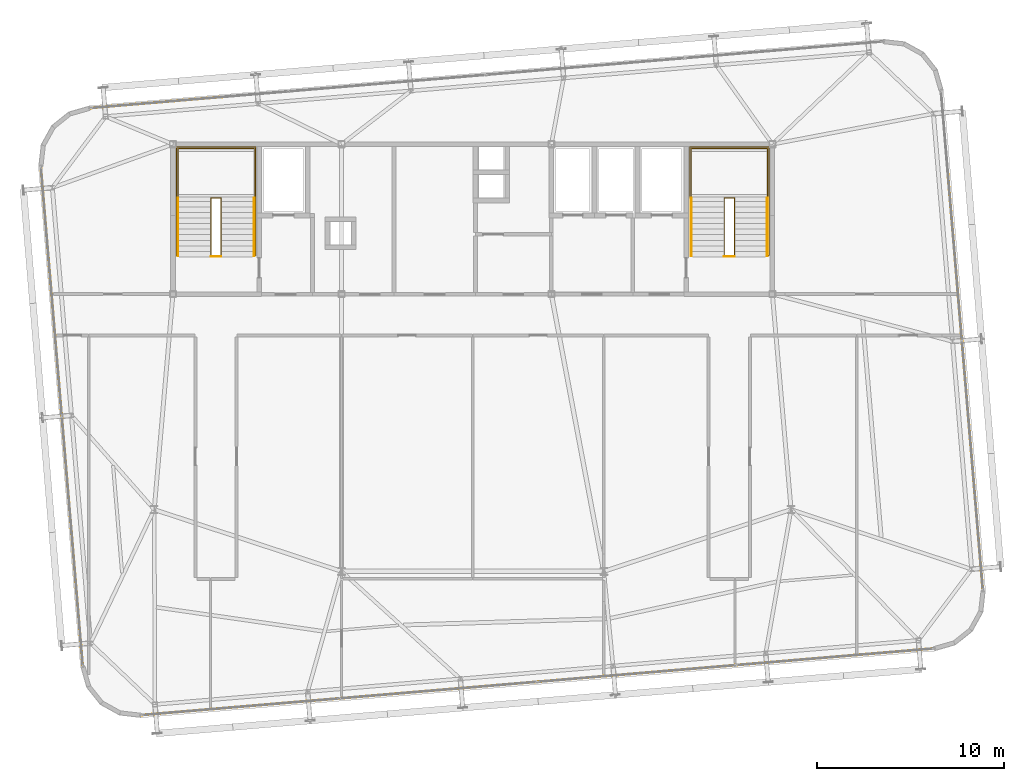
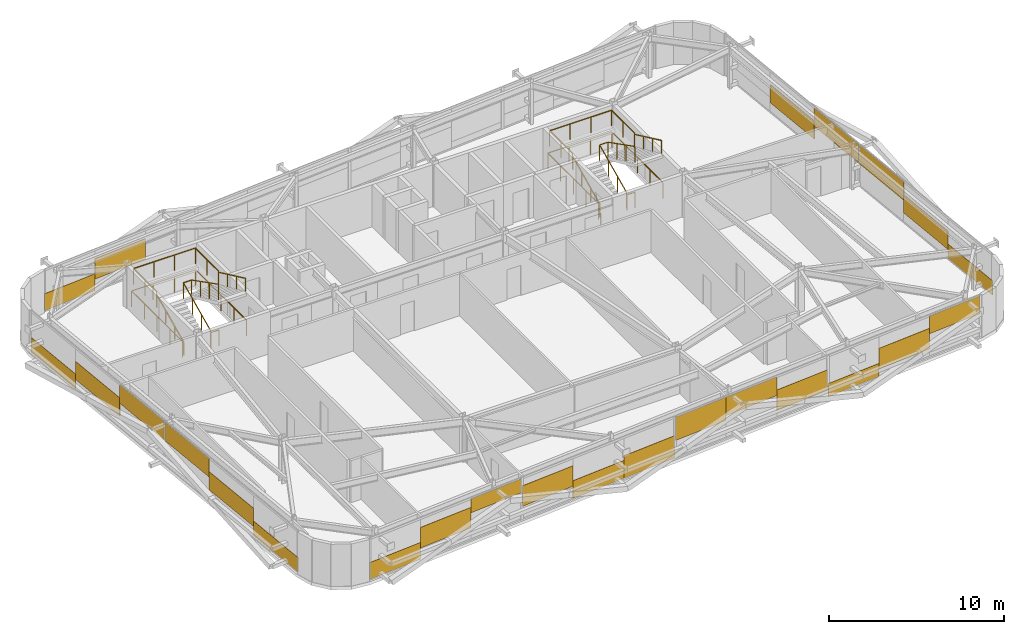
# One storey, part 36 of 37: 25 coverings, 12 railings.
"""IFC4 building model written with IfcOpenShell, lengths in metres."""

from ifc_helpers import new_model, si_unit, direction, frame, origin, origin_2d, place, context, subcontext, project, spatial, rectangle, extrude, source, transform, mapped, material, layer, layer_set, type_object, element, save


model = new_model("IFC4")

# Units and contexts
model_context = context("Model", 3, precision=1e-05, world=origin(), true_north=direction((0.0, 1.0)))
body_context = subcontext(model_context, "Body", "Model", "MODEL_VIEW")
ifc_project = project(units=[si_unit("LENGTHUNIT", "METRE"), si_unit("AREAUNIT", "SQUARE_METRE"), si_unit("VOLUMEUNIT", "CUBIC_METRE"), si_unit("PLANEANGLEUNIT", "RADIAN"), si_unit("MASSUNIT", "GRAM", prefix="KILO")], contexts=[model_context])

# Site, building, storey
site_placement = place(None, origin())
site = spatial("IfcSite", under=ifc_project, at=site_placement, CompositionType="ELEMENT")
building_placement = place(site_placement, origin())
building = spatial("IfcBuilding", under=site, at=building_placement, Name="Taldren Reach Tower", CompositionType="ELEMENT")
storey_placement = place(building_placement, frame((0.0, 0.0, 172.550048828125)))
storey = spatial("IfcBuildingStorey", under=building, at=storey_placement, Name="L52", CompositionType="ELEMENT", Elevation=172.550048828125)

# Railings
ifc_material_1 = material(Name="Steel Gr 350 (C350L0)", Category="steel")
ifc_layer_1 = layer(ifc_material_1, 0.050048828125)
ifc_layer_set_1 = layer_set([ifc_layer_1], Name="Steel Gr 350 (C350L0)")
railing_type_1 = type_object("IfcRailingType", Name="RL-STAIR-GR", PredefinedType="GUARDRAIL", material=ifc_layer_set_1)
railing_1_placement = place(storey_placement, frame((19.260009765625, 29.135009765625, 1.574951171875)))
element("IfcRailing", 1, at=railing_1_placement, inside=storey, type_object=railing_type_1, Name="Stair half-landing perimeter guard ST1-L52", PredefinedType="GUARDRAIL", context=body_context, shape_type="SweptSolid", body=[
    extrude(rectangle(XDim=0.047852, YDim=0.047852, at=origin_2d()), frame((0.0, 0.0, 1.09619140625), z_axis=(0.0, 1.0, 0.0), x_axis=(-1.0, 0.0, 0.0)), (0.0, 0.0, 1.0), 2.64501953125),
    extrude(rectangle(XDim=0.047852, YDim=0.047852, at=origin_2d()), frame((0.0, 2.64501953125, 1.09619140625), z_axis=(1.0, 0.0, 0.0), x_axis=(0.0, 1.0, 0.0)), (0.0, 0.0, 1.0), 4.080078125),
    extrude(rectangle(XDim=0.047852, YDim=0.047852, at=origin_2d()), frame((4.080078125, 2.64501953125, 1.09619140625), z_axis=(0.0, -1.0, 0.0), x_axis=(1.0, 0.0, 0.0)), (0.0, 0.0, 1.0), 2.64501953125),
    extrude(rectangle(XDim=0.041992, YDim=0.041992, at=origin_2d()), origin(), (0.0, 0.0, 1.0), 1.072021484375),
    extrude(rectangle(XDim=0.041992, YDim=0.041992, at=origin_2d()), frame((0.0, 1.322509765625, 0.0)), (0.0, 0.0, 1.0), 1.072021484375),
    extrude(rectangle(XDim=0.041992, YDim=0.041992, at=origin_2d()), frame((0.0, 2.64501953125, 0.0)), (0.0, 0.0, 1.0), 1.072021484375),
    extrude(rectangle(XDim=0.041992, YDim=0.041992, at=origin_2d()), frame((1.360107421875, 2.64501953125, 0.0)), (0.0, 0.0, 1.0), 1.072021484375),
    extrude(rectangle(XDim=0.041992, YDim=0.041992, at=origin_2d()), frame((2.719970703125, 2.64501953125, 0.0)), (0.0, 0.0, 1.0), 1.072021484375),
    extrude(rectangle(XDim=0.041992, YDim=0.041992, at=origin_2d()), frame((4.080078125, 2.64501953125, 0.0)), (0.0, 0.0, 1.0), 1.072021484375),
    extrude(rectangle(XDim=0.041992, YDim=0.041992, at=origin_2d()), frame((4.080078125, 1.322509765625, 0.0)), (0.0, 0.0, 1.0), 1.072021484375),
    extrude(rectangle(XDim=0.041992, YDim=0.041992, at=origin_2d()), frame((4.080078125, 0.0, 0.0)), (0.0, 0.0, 1.0), 1.072021484375),
])
railing_2_placement = place(storey_placement, frame((21.030029296875, 26.050048828125, 0.13134765625)))
element("IfcRailing", 2, at=railing_2_placement, inside=storey, type_object=railing_type_1, Name="Stairwell inner guard ST1-L52", PredefinedType="GUARDRAIL", context=body_context, shape_type="SweptSolid", body=[
    extrude(rectangle(XDim=0.047852, YDim=0.047852, at=origin_2d()), frame((0.0, 0.0, 1.09619140625), z_axis=(0.0, 0.905737652094, 0.423838773095), x_axis=(-1.0, 0.0, 0.0)), (0.0, 0.0, 1.0), 3.406005859375),
    extrude(rectangle(XDim=0.047852, YDim=0.047852, at=origin_2d()), frame((0.0, 3.0849609375, 2.53955078125), z_axis=(1.0, 0.0, 0.0), x_axis=(0.0, 1.0, 0.0)), (0.0, 0.0, 1.0), 0.5400390625),
    extrude(rectangle(XDim=0.047852, YDim=0.047852, at=origin_2d()), frame((0.5400390625, 3.0849609375, 2.53955078125), z_axis=(0.0, -0.890645957773, 0.45469745755), x_axis=(1.0, 0.0, 0.0)), (0.0, 0.0, 1.0), 3.463623046875),
    extrude(rectangle(XDim=0.041992, YDim=0.041992, at=origin_2d()), origin(), (0.0, 0.0, 1.0), 1.072021484375),
    extrude(rectangle(XDim=0.041992, YDim=0.041992, at=origin_2d()), frame((0.0, 1.0283203125, 0.481201171875)), (0.0, 0.0, 1.0), 1.072021484375),
    extrude(rectangle(XDim=0.041992, YDim=0.041992, at=origin_2d()), frame((0.0, 2.056640625, 0.96240234375)), (0.0, 0.0, 1.0), 1.072021484375),
    extrude(rectangle(XDim=0.041992, YDim=0.041992, at=origin_2d()), frame((0.0, 3.0849609375, 1.443603515625)), (0.0, 0.0, 1.0), 1.072021484375),
    extrude(rectangle(XDim=0.041992, YDim=0.041992, at=origin_2d()), frame((0.5400390625, 3.0849609375, 1.443603515625)), (0.0, 0.0, 1.0), 1.072021484375),
    extrude(rectangle(XDim=0.041992, YDim=0.041992, at=origin_2d()), frame((0.5400390625, 2.056640625, 1.968505859375)), (0.0, 0.0, 1.0), 1.072021484375),
    extrude(rectangle(XDim=0.041992, YDim=0.041992, at=origin_2d()), frame((0.5400390625, 1.0283203125, 2.49365234375)), (0.0, 0.0, 1.0), 1.072021484375),
    extrude(rectangle(XDim=0.041992, YDim=0.041992, at=origin_2d()), frame((0.5400390625, 0.0, 3.0185546875)), (0.0, 0.0, 1.0), 1.072021484375),
])
railing_3_placement = place(storey_placement, frame((21.030029296875, 26.010009765625, 0.0)))
element("IfcRailing", 3, at=railing_3_placement, inside=storey, type_object=railing_type_1, Name="Stairwell landing slot guard ST1-L52", PredefinedType="GUARDRAIL", context=body_context, shape_type="SweptSolid", body=[
    extrude(rectangle(XDim=0.047852, YDim=0.047852, at=origin_2d()), frame((0.0, 0.0, 1.09619140625), z_axis=(1.0, 0.0, 0.0), x_axis=(0.0, 1.0, 0.0)), (0.0, 0.0, 1.0), 0.5400390625),
    extrude(rectangle(XDim=0.041992, YDim=0.041992, at=origin_2d()), origin(), (0.0, 0.0, 1.0), 1.072021484375),
    extrude(rectangle(XDim=0.041992, YDim=0.041992, at=origin_2d()), frame((0.5400390625, 0.0, 0.0)), (0.0, 0.0, 1.0), 1.072021484375),
])
railing_4_placement = place(storey_placement, frame((19.18994140625, 26.050048828125, 0.0)))
element("IfcRailing", 4, at=railing_4_placement, inside=storey, type_object=railing_type_1, Name="Stairwell floor opening guard ST1-L52", PredefinedType="GUARDRAIL", context=body_context, shape_type="SweptSolid", body=[
    extrude(rectangle(XDim=0.047852, YDim=0.047852, at=origin_2d()), frame((0.0, 0.0, 1.09619140625), z_axis=(0.0, 1.0, 0.0), x_axis=(-1.0, 0.0, 0.0)), (0.0, 0.0, 1.0), 5.800048828125),
    extrude(rectangle(XDim=0.047852, YDim=0.047852, at=origin_2d()), frame((0.0, 5.800048828125, 1.09619140625), z_axis=(1.0, 0.0, 0.0), x_axis=(0.0, 1.0, 0.0)), (0.0, 0.0, 1.0), 4.219970703125),
    extrude(rectangle(XDim=0.047852, YDim=0.047852, at=origin_2d()), frame((4.219970703125, 5.800048828125, 1.09619140625), z_axis=(0.0, -1.0, 0.0), x_axis=(1.0, 0.0, 0.0)), (0.0, 0.0, 1.0), 5.800048828125),
    extrude(rectangle(XDim=0.041992, YDim=0.041992, at=origin_2d()), origin(), (0.0, 0.0, 1.0), 1.072021484375),
    extrude(rectangle(XDim=0.041992, YDim=0.041992, at=origin_2d()), frame((0.0, 1.449951171875, 0.0)), (0.0, 0.0, 1.0), 1.072021484375),
    extrude(rectangle(XDim=0.041992, YDim=0.041992, at=origin_2d()), frame((0.0, 2.89990234375, 0.0)), (0.0, 0.0, 1.0), 1.072021484375),
    extrude(rectangle(XDim=0.041992, YDim=0.041992, at=origin_2d()), frame((0.0, 4.35009765625, 0.0)), (0.0, 0.0, 1.0), 1.072021484375),
    extrude(rectangle(XDim=0.041992, YDim=0.041992, at=origin_2d()), frame((0.0, 5.800048828125, 0.0)), (0.0, 0.0, 1.0), 1.072021484375),
    extrude(rectangle(XDim=0.041992, YDim=0.041992, at=origin_2d()), frame((1.40673828125, 5.800048828125, 0.0)), (0.0, 0.0, 1.0), 1.072021484375),
    extrude(rectangle(XDim=0.041992, YDim=0.041992, at=origin_2d()), frame((2.813232421875, 5.800048828125, 0.0)), (0.0, 0.0, 1.0), 1.072021484375),
    extrude(rectangle(XDim=0.041992, YDim=0.041992, at=origin_2d()), frame((4.219970703125, 5.800048828125, 0.0)), (0.0, 0.0, 1.0), 1.072021484375),
    extrude(rectangle(XDim=0.041992, YDim=0.041992, at=origin_2d()), frame((4.219970703125, 4.35009765625, 0.0)), (0.0, 0.0, 1.0), 1.072021484375),
    extrude(rectangle(XDim=0.041992, YDim=0.041992, at=origin_2d()), frame((4.219970703125, 2.89990234375, 0.0)), (0.0, 0.0, 1.0), 1.072021484375),
    extrude(rectangle(XDim=0.041992, YDim=0.041992, at=origin_2d()), frame((4.219970703125, 1.449951171875, 0.0)), (0.0, 0.0, 1.0), 1.072021484375),
    extrude(rectangle(XDim=0.041992, YDim=0.041992, at=origin_2d()), frame((4.219970703125, 0.0, 0.0)), (0.0, 0.0, 1.0), 1.072021484375),
])
railing_5_placement = place(storey_placement, frame((46.659912109375, 29.135009765625, 1.574951171875)))
element("IfcRailing", 5, at=railing_5_placement, inside=storey, type_object=railing_type_1, Name="Stair half-landing perimeter guard ST2-L52", PredefinedType="GUARDRAIL", context=body_context, shape_type="SweptSolid", body=[
    extrude(rectangle(XDim=0.047852, YDim=0.047852, at=origin_2d()), frame((0.0, 0.0, 1.09619140625), z_axis=(0.0, 1.0, 0.0), x_axis=(-1.0, 0.0, 0.0)), (0.0, 0.0, 1.0), 2.64501953125),
    extrude(rectangle(XDim=0.047852, YDim=0.047852, at=origin_2d()), frame((0.0, 2.64501953125, 1.09619140625), z_axis=(1.0, 0.0, 0.0), x_axis=(0.0, 1.0, 0.0)), (0.0, 0.0, 1.0), 4.080078125),
    extrude(rectangle(XDim=0.047852, YDim=0.047852, at=origin_2d()), frame((4.080078125, 2.64501953125, 1.09619140625), z_axis=(0.0, -1.0, 0.0), x_axis=(1.0, 0.0, 0.0)), (0.0, 0.0, 1.0), 2.64501953125),
    extrude(rectangle(XDim=0.041992, YDim=0.041992, at=origin_2d()), origin(), (0.0, 0.0, 1.0), 1.072021484375),
    extrude(rectangle(XDim=0.041992, YDim=0.041992, at=origin_2d()), frame((0.0, 1.322509765625, 0.0)), (0.0, 0.0, 1.0), 1.072021484375),
    extrude(rectangle(XDim=0.041992, YDim=0.041992, at=origin_2d()), frame((0.0, 2.64501953125, 0.0)), (0.0, 0.0, 1.0), 1.072021484375),
    extrude(rectangle(XDim=0.041992, YDim=0.041992, at=origin_2d()), frame((1.360107421875, 2.64501953125, 0.0)), (0.0, 0.0, 1.0), 1.072021484375),
    extrude(rectangle(XDim=0.041992, YDim=0.041992, at=origin_2d()), frame((2.719970703125, 2.64501953125, 0.0)), (0.0, 0.0, 1.0), 1.072021484375),
    extrude(rectangle(XDim=0.041992, YDim=0.041992, at=origin_2d()), frame((4.080078125, 2.64501953125, 0.0)), (0.0, 0.0, 1.0), 1.072021484375),
    extrude(rectangle(XDim=0.041992, YDim=0.041992, at=origin_2d()), frame((4.080078125, 1.322509765625, 0.0)), (0.0, 0.0, 1.0), 1.072021484375),
    extrude(rectangle(XDim=0.041992, YDim=0.041992, at=origin_2d()), frame((4.080078125, 0.0, 0.0)), (0.0, 0.0, 1.0), 1.072021484375),
])
railing_6_placement = place(storey_placement, frame((48.429931640625, 26.050048828125, 0.13134765625)))
element("IfcRailing", 6, at=railing_6_placement, inside=storey, type_object=railing_type_1, Name="Stairwell inner guard ST2-L52", PredefinedType="GUARDRAIL", context=body_context, shape_type="SweptSolid", body=[
    extrude(rectangle(XDim=0.047852, YDim=0.047852, at=origin_2d()), frame((0.0, 0.0, 1.09619140625), z_axis=(0.0, 0.905737652094, 0.423838773095), x_axis=(-1.0, 0.0, 0.0)), (0.0, 0.0, 1.0), 3.406005859375),
    extrude(rectangle(XDim=0.047852, YDim=0.047852, at=origin_2d()), frame((0.0, 3.0849609375, 2.53955078125), z_axis=(1.0, 0.0, 0.0), x_axis=(0.0, 1.0, 0.0)), (0.0, 0.0, 1.0), 0.5400390625),
    extrude(rectangle(XDim=0.047852, YDim=0.047852, at=origin_2d()), frame((0.5400390625, 3.0849609375, 2.53955078125), z_axis=(0.0, -0.890645957773, 0.45469745755), x_axis=(1.0, 0.0, 0.0)), (0.0, 0.0, 1.0), 3.463623046875),
    extrude(rectangle(XDim=0.041992, YDim=0.041992, at=origin_2d()), origin(), (0.0, 0.0, 1.0), 1.072021484375),
    extrude(rectangle(XDim=0.041992, YDim=0.041992, at=origin_2d()), frame((0.0, 1.0283203125, 0.481201171875)), (0.0, 0.0, 1.0), 1.072021484375),
    extrude(rectangle(XDim=0.041992, YDim=0.041992, at=origin_2d()), frame((0.0, 2.056640625, 0.96240234375)), (0.0, 0.0, 1.0), 1.072021484375),
    extrude(rectangle(XDim=0.041992, YDim=0.041992, at=origin_2d()), frame((0.0, 3.0849609375, 1.443603515625)), (0.0, 0.0, 1.0), 1.072021484375),
    extrude(rectangle(XDim=0.041992, YDim=0.041992, at=origin_2d()), frame((0.5400390625, 3.0849609375, 1.443603515625)), (0.0, 0.0, 1.0), 1.072021484375),
    extrude(rectangle(XDim=0.041992, YDim=0.041992, at=origin_2d()), frame((0.5400390625, 2.056640625, 1.968505859375)), (0.0, 0.0, 1.0), 1.072021484375),
    extrude(rectangle(XDim=0.041992, YDim=0.041992, at=origin_2d()), frame((0.5400390625, 1.0283203125, 2.49365234375)), (0.0, 0.0, 1.0), 1.072021484375),
    extrude(rectangle(XDim=0.041992, YDim=0.041992, at=origin_2d()), frame((0.5400390625, 0.0, 3.0185546875)), (0.0, 0.0, 1.0), 1.072021484375),
])
railing_7_placement = place(storey_placement, frame((48.429931640625, 26.010009765625, 0.0)))
element("IfcRailing", 7, at=railing_7_placement, inside=storey, type_object=railing_type_1, Name="Stairwell landing slot guard ST2-L52", PredefinedType="GUARDRAIL", context=body_context, shape_type="SweptSolid", body=[
    extrude(rectangle(XDim=0.047852, YDim=0.047852, at=origin_2d()), frame((0.0, 0.0, 1.09619140625), z_axis=(1.0, 0.0, 0.0), x_axis=(0.0, 1.0, 0.0)), (0.0, 0.0, 1.0), 0.5400390625),
    extrude(rectangle(XDim=0.041992, YDim=0.041992, at=origin_2d()), origin(), (0.0, 0.0, 1.0), 1.072021484375),
    extrude(rectangle(XDim=0.041992, YDim=0.041992, at=origin_2d()), frame((0.5400390625, 0.0, 0.0)), (0.0, 0.0, 1.0), 1.072021484375),
])
railing_8_placement = place(storey_placement, frame((46.590087890625, 26.050048828125, 0.0)))
element("IfcRailing", 8, at=railing_8_placement, inside=storey, type_object=railing_type_1, Name="Stairwell floor opening guard ST2-L52", PredefinedType="GUARDRAIL", context=body_context, shape_type="SweptSolid", body=[
    extrude(rectangle(XDim=0.047852, YDim=0.047852, at=origin_2d()), frame((0.0, 0.0, 1.09619140625), z_axis=(0.0, 1.0, 0.0), x_axis=(-1.0, 0.0, 0.0)), (0.0, 0.0, 1.0), 5.800048828125),
    extrude(rectangle(XDim=0.047852, YDim=0.047852, at=origin_2d()), frame((0.0, 5.800048828125, 1.09619140625), z_axis=(1.0, 0.0, 0.0), x_axis=(0.0, 1.0, 0.0)), (0.0, 0.0, 1.0), 4.219970703125),
    extrude(rectangle(XDim=0.047852, YDim=0.047852, at=origin_2d()), frame((4.219970703125, 5.800048828125, 1.09619140625), z_axis=(0.0, -1.0, 0.0), x_axis=(1.0, 0.0, 0.0)), (0.0, 0.0, 1.0), 5.800048828125),
    extrude(rectangle(XDim=0.041992, YDim=0.041992, at=origin_2d()), origin(), (0.0, 0.0, 1.0), 1.072021484375),
    extrude(rectangle(XDim=0.041992, YDim=0.041992, at=origin_2d()), frame((0.0, 1.449951171875, 0.0)), (0.0, 0.0, 1.0), 1.072021484375),
    extrude(rectangle(XDim=0.041992, YDim=0.041992, at=origin_2d()), frame((0.0, 2.89990234375, 0.0)), (0.0, 0.0, 1.0), 1.072021484375),
    extrude(rectangle(XDim=0.041992, YDim=0.041992, at=origin_2d()), frame((0.0, 4.35009765625, 0.0)), (0.0, 0.0, 1.0), 1.072021484375),
    extrude(rectangle(XDim=0.041992, YDim=0.041992, at=origin_2d()), frame((0.0, 5.800048828125, 0.0)), (0.0, 0.0, 1.0), 1.072021484375),
    extrude(rectangle(XDim=0.041992, YDim=0.041992, at=origin_2d()), frame((1.40673828125, 5.800048828125, 0.0)), (0.0, 0.0, 1.0), 1.072021484375),
    extrude(rectangle(XDim=0.041992, YDim=0.041992, at=origin_2d()), frame((2.813232421875, 5.800048828125, 0.0)), (0.0, 0.0, 1.0), 1.072021484375),
    extrude(rectangle(XDim=0.041992, YDim=0.041992, at=origin_2d()), frame((4.219970703125, 5.800048828125, 0.0)), (0.0, 0.0, 1.0), 1.072021484375),
    extrude(rectangle(XDim=0.041992, YDim=0.041992, at=origin_2d()), frame((4.219970703125, 4.35009765625, 0.0)), (0.0, 0.0, 1.0), 1.072021484375),
    extrude(rectangle(XDim=0.041992, YDim=0.041992, at=origin_2d()), frame((4.219970703125, 2.89990234375, 0.0)), (0.0, 0.0, 1.0), 1.072021484375),
    extrude(rectangle(XDim=0.041992, YDim=0.041992, at=origin_2d()), frame((4.219970703125, 1.449951171875, 0.0)), (0.0, 0.0, 1.0), 1.072021484375),
    extrude(rectangle(XDim=0.041992, YDim=0.041992, at=origin_2d()), frame((4.219970703125, 0.0, 0.0)), (0.0, 0.0, 1.0), 1.072021484375),
])
ifc_material_2 = material(Name="Stainless Steel Gr 316", Category="steel")
ifc_layer_2 = layer(ifc_material_2, 0.048095703125)
ifc_layer_set_2 = layer_set([ifc_layer_2], Name="Stainless Steel Gr 316")
railing_type_2 = type_object("IfcRailingType", Name="RL-STAIR-HR", PredefinedType="HANDRAIL", material=ifc_layer_set_2)
railing_9_placement = place(storey_placement, frame((19.27001953125, 26.050048828125, 0.13134765625)))
element("IfcRailing", 9, at=railing_9_placement, inside=storey, type_object=railing_type_2, Name="Stair flight handrail ST1-L52-1", PredefinedType="HANDRAIL", context=body_context, shape_type="SweptSolid", body=[
    extrude(rectangle(XDim=0.047852, YDim=0.047852, at=origin_2d()), frame((0.0, 0.0, 0.89599609375), z_axis=(0.0, 0.905737652094, 0.423838773095), x_axis=(-1.0, 0.0, 0.0)), (0.0, 0.0, 1.0), 3.406005859375),
    extrude(rectangle(XDim=0.041992, YDim=0.041992, at=origin_2d()), origin(), (0.0, 0.0, 1.0), 0.871826171875),
    extrude(rectangle(XDim=0.041992, YDim=0.041992, at=origin_2d()), frame((0.0, 1.0283203125, 0.481201171875)), (0.0, 0.0, 1.0), 0.871826171875),
    extrude(rectangle(XDim=0.041992, YDim=0.041992, at=origin_2d()), frame((0.0, 2.056640625, 0.96240234375)), (0.0, 0.0, 1.0), 0.871826171875),
    extrude(rectangle(XDim=0.041992, YDim=0.041992, at=origin_2d()), frame((0.0, 3.0849609375, 1.443603515625)), (0.0, 0.0, 1.0), 0.871826171875),
])
railing_10_placement = place(storey_placement, frame((23.330078125, 29.135009765625, 1.7060546875)))
element("IfcRailing", 10, at=railing_10_placement, inside=storey, type_object=railing_type_2, Name="Stair flight handrail ST1-L52-2", PredefinedType="HANDRAIL", context=body_context, shape_type="SweptSolid", body=[
    extrude(rectangle(XDim=0.047852, YDim=0.047852, at=origin_2d()), frame((0.0, 0.0, 0.89599609375), z_axis=(0.0, -0.905710134349, 0.423897573167), x_axis=(1.0, 0.0, 0.0)), (0.0, 0.0, 1.0), 3.406005859375),
    extrude(rectangle(XDim=0.041992, YDim=0.041992, at=origin_2d()), origin(), (0.0, 0.0, 1.0), 0.871826171875),
    extrude(rectangle(XDim=0.041992, YDim=0.041992, at=origin_2d()), frame((0.0, -1.0283203125, 0.481201171875)), (0.0, 0.0, 1.0), 0.871826171875),
    extrude(rectangle(XDim=0.041992, YDim=0.041992, at=origin_2d()), frame((0.0, -2.056640625, 0.962646484375)), (0.0, 0.0, 1.0), 0.871826171875),
    extrude(rectangle(XDim=0.041992, YDim=0.041992, at=origin_2d()), frame((0.0, -3.0849609375, 1.44384765625)), (0.0, 0.0, 1.0), 0.871826171875),
])
railing_11_placement = place(storey_placement, frame((46.669921875, 26.050048828125, 0.13134765625)))
element("IfcRailing", 11, at=railing_11_placement, inside=storey, type_object=railing_type_2, Name="Stair flight handrail ST2-L52-1", PredefinedType="HANDRAIL", context=body_context, shape_type="SweptSolid", body=[
    extrude(rectangle(XDim=0.047852, YDim=0.047852, at=origin_2d()), frame((0.0, 0.0, 0.89599609375), z_axis=(0.0, 0.905737652094, 0.423838773095), x_axis=(-1.0, 0.0, 0.0)), (0.0, 0.0, 1.0), 3.406005859375),
    extrude(rectangle(XDim=0.041992, YDim=0.041992, at=origin_2d()), origin(), (0.0, 0.0, 1.0), 0.871826171875),
    extrude(rectangle(XDim=0.041992, YDim=0.041992, at=origin_2d()), frame((0.0, 1.0283203125, 0.481201171875)), (0.0, 0.0, 1.0), 0.871826171875),
    extrude(rectangle(XDim=0.041992, YDim=0.041992, at=origin_2d()), frame((0.0, 2.056640625, 0.96240234375)), (0.0, 0.0, 1.0), 0.871826171875),
    extrude(rectangle(XDim=0.041992, YDim=0.041992, at=origin_2d()), frame((0.0, 3.0849609375, 1.443603515625)), (0.0, 0.0, 1.0), 0.871826171875),
])
railing_12_placement = place(storey_placement, frame((50.72998046875, 29.135009765625, 1.7060546875)))
element("IfcRailing", 12, at=railing_12_placement, inside=storey, type_object=railing_type_2, Name="Stair flight handrail ST2-L52-2", PredefinedType="HANDRAIL", context=body_context, shape_type="SweptSolid", body=[
    extrude(rectangle(XDim=0.047852, YDim=0.047852, at=origin_2d()), frame((0.0, 0.0, 0.89599609375), z_axis=(0.0, -0.905710134349, 0.423897573167), x_axis=(1.0, 0.0, 0.0)), (0.0, 0.0, 1.0), 3.406005859375),
    extrude(rectangle(XDim=0.041992, YDim=0.041992, at=origin_2d()), origin(), (0.0, 0.0, 1.0), 0.871826171875),
    extrude(rectangle(XDim=0.041992, YDim=0.041992, at=origin_2d()), frame((0.0, -1.0283203125, 0.481201171875)), (0.0, 0.0, 1.0), 0.871826171875),
    extrude(rectangle(XDim=0.041992, YDim=0.041992, at=origin_2d()), frame((0.0, -2.056640625, 0.962646484375)), (0.0, 0.0, 1.0), 0.871826171875),
    extrude(rectangle(XDim=0.041992, YDim=0.041992, at=origin_2d()), frame((0.0, -3.0849609375, 1.44384765625)), (0.0, 0.0, 1.0), 0.871826171875),
])

# Coverings
ifc_material_3 = material(Name="Pale Champagne Fluoropolymer Aluminium Spandrel Cladding", Category="aluminium")
ifc_layer_3 = layer(ifc_material_3, 0.0439453125)
ifc_layer_set_3 = layer_set([ifc_layer_3], Name="Pale Champagne Fluoropolymer Aluminium Spandrel Cladding")
covering_type = type_object("IfcCoveringType", Name="CV-CLAD-044", PredefinedType="CLADDING", material=ifc_layer_set_3)
shared_shape_1 = source(origin(), body_context, "Body", "SweptSolid", [
    extrude(rectangle(XDim=3.506591796875, YDim=0.0439453125, at=origin_2d()), origin(), (0.0, 0.0, 1.0), 1.177734375),
])
for number, where, z_axis, x_axis, name in (
    (13, (19.10205078125, 1.67138671875, 0.059814453125), (0.0, 0.0, 1.0), (0.996492854922, 0.083677894865, 0.0), "Diagrid closure cladding strip CW-5 panel 1.1 1"),
    (14, (16.380859375, 34.077392578125, 0.059814453125), (0.0, 0.0, 1.0), (-0.99649285657, -0.083677875247, 0.0), "Diagrid closure cladding strip CW-5 panel 4.1 3"),
):
    element("IfcCovering", number, at=place(storey_placement, frame(where, z_axis=z_axis, x_axis=x_axis)), inside=storey, type_object=covering_type, Name=name, PredefinedType="CLADDING", context=body_context, shape_type="MappedRepresentation", body=[
        mapped(shared_shape_1, transform((0.0, 0.0, 0.0), scale=1.0)),
    ])
shared_shape_2 = source(origin(), body_context, "Body", "SweptSolid", [
    extrude(rectangle(XDim=3.506591796875, YDim=0.0439453125, at=origin_2d()), origin(), (0.0, 0.0, 1.0), 1.42724609375),
])
for number, where, z_axis, x_axis, name in (
    (15, (22.596435546875, 1.96484375, 0.85205078125), (0.0, 0.0, 1.0), (0.996492854922, 0.083677894865, 0.0), "Diagrid closure cladding strip CW-5 panel 1.1 2"),
    (16, (54.32470703125, 4.629150390625, 0.590576171875), (0.0, 0.0, 1.0), (0.996492854922, 0.083677894865, 0.0), "Diagrid closure cladding strip CW-5 panel 4.1 2"),
    (17, (19.875244140625, 34.370849609375, 0.85205078125), (0.0, 0.0, 1.0), (-0.99649285657, -0.083677875247, 0.0), "Diagrid closure cladding strip CW-5 panel 4.1 2"),
):
    element("IfcCovering", number, at=place(storey_placement, frame(where, z_axis=z_axis, x_axis=x_axis)), inside=storey, type_object=covering_type, Name=name, PredefinedType="CLADDING", context=body_context, shape_type="MappedRepresentation", body=[
        mapped(shared_shape_2, transform((0.0, 0.0, 0.0), scale=1.0)),
    ])
shared_shape_3 = source(origin(), body_context, "Body", "SweptSolid", [
    extrude(rectangle(XDim=3.506591796875, YDim=0.0439453125, at=origin_2d()), origin(), (0.0, 0.0, 1.0), 0.976318359375),
])
covering_1_placement = place(storey_placement, frame((26.0908203125, 2.25830078125, 1.8935546875), z_axis=(0.0, 0.0, 1.0), x_axis=(0.996492854922, 0.083677894865, 0.0)))
element("IfcCovering", 18, at=covering_1_placement, inside=storey, type_object=covering_type, Name="Diagrid closure cladding strip CW-5 panel 1.1 3", PredefinedType="CLADDING", context=body_context, shape_type="MappedRepresentation", body=[
    mapped(shared_shape_3, transform((0.0, 0.0, 0.0), scale=1.0)),
])
shared_shape_4 = source(origin(), body_context, "Body", "SweptSolid", [
    extrude(rectangle(XDim=3.518310546875, YDim=0.0439453125, at=origin_2d()), origin(), (0.0, 0.0, 1.0), 1.4306640625),
])
for number, where, z_axis, x_axis, name in (
    (19, (29.66064453125, 2.55810546875, 0.912841796875), (0.0, 0.0, 1.0), (0.996492854922, 0.083677894865, 0.0), "Diagrid closure cladding strip CW-5 panel 2.1 1"),
    (20, (47.260498046875, 4.035888671875, 0.5263671875), (0.0, 0.0, 1.0), (0.996492854922, 0.083677894865, 0.0), "Diagrid closure cladding strip CW-5 panel 3.1 3"),
):
    element("IfcCovering", number, at=place(storey_placement, frame(where, z_axis=z_axis, x_axis=x_axis)), inside=storey, type_object=covering_type, Name=name, PredefinedType="CLADDING", context=body_context, shape_type="MappedRepresentation", body=[
        mapped(shared_shape_4, transform((0.0, 0.0, 0.0), scale=1.0)),
    ])
shared_shape_5 = source(origin(), body_context, "Body", "SweptSolid", [
    extrude(rectangle(XDim=3.518310546875, YDim=0.0439453125, at=origin_2d()), origin(), (0.0, 0.0, 1.0), 1.238525390625),
])
covering_2_placement = place(storey_placement, frame((33.166748046875, 2.8525390625, 0.06005859375), z_axis=(0.0, 0.0, 1.0), x_axis=(0.996492854922, 0.083677894865, 0.0)))
element("IfcCovering", 21, at=covering_2_placement, inside=storey, type_object=covering_type, Name="Diagrid closure cladding strip CW-5 panel 2.1 2", PredefinedType="CLADDING", context=body_context, shape_type="MappedRepresentation", body=[
    mapped(shared_shape_5, transform((0.0, 0.0, 0.0), scale=1.0)),
])
shared_shape_6 = source(origin(), body_context, "Body", "SweptSolid", [
    extrude(rectangle(XDim=3.518310546875, YDim=0.0439453125, at=origin_2d()), origin(), (0.0, 0.0, 1.0), 1.557373046875),
])
covering_3_placement = place(storey_placement, frame((36.672607421875, 3.14697265625, 0.06005859375), z_axis=(0.0, 0.0, 1.0), x_axis=(0.996492854922, 0.083677894865, 0.0)))
element("IfcCovering", 22, at=covering_3_placement, inside=storey, type_object=covering_type, Name="Diagrid closure cladding strip CW-5 panel 2.1 3", PredefinedType="CLADDING", context=body_context, shape_type="MappedRepresentation", body=[
    mapped(shared_shape_6, transform((0.0, 0.0, 0.0), scale=1.0)),
])
shared_shape_7 = source(origin(), body_context, "Body", "SweptSolid", [
    extrude(rectangle(XDim=3.518310546875, YDim=0.0439453125, at=origin_2d()), origin(), (0.0, 0.0, 1.0), 1.617431640625),
])
covering_4_placement = place(storey_placement, frame((40.24853515625, 3.447265625, 1.25244140625), z_axis=(0.0, 0.0, 1.0), x_axis=(0.996492854922, 0.083677894865, 0.0)))
element("IfcCovering", 23, at=covering_4_placement, inside=storey, type_object=covering_type, Name="Diagrid closure cladding strip CW-5 panel 3.1 1", PredefinedType="CLADDING", context=body_context, shape_type="MappedRepresentation", body=[
    mapped(shared_shape_7, transform((0.0, 0.0, 0.0), scale=1.0)),
])
shared_shape_8 = source(origin(), body_context, "Body", "SweptSolid", [
    extrude(rectangle(XDim=3.518310546875, YDim=0.0439453125, at=origin_2d()), origin(), (0.0, 0.0, 1.0), 1.298583984375),
])
covering_5_placement = place(storey_placement, frame((43.75439453125, 3.741455078125, 1.5712890625), z_axis=(0.0, 0.0, 1.0), x_axis=(0.996492854922, 0.083677894865, 0.0)))
element("IfcCovering", 24, at=covering_5_placement, inside=storey, type_object=covering_type, Name="Diagrid closure cladding strip CW-5 panel 3.1 2", PredefinedType="CLADDING", context=body_context, shape_type="MappedRepresentation", body=[
    mapped(shared_shape_8, transform((0.0, 0.0, 0.0), scale=1.0)),
])
shared_shape_9 = source(origin(), body_context, "Body", "SweptSolid", [
    extrude(rectangle(XDim=3.506591796875, YDim=0.0439453125, at=origin_2d()), origin(), (0.0, 0.0, 1.0), 0.916259765625),
])
covering_6_placement = place(storey_placement, frame((50.830322265625, 4.335693359375, 0.06005859375), z_axis=(0.0, 0.0, 1.0), x_axis=(0.996492854922, 0.083677894865, 0.0)))
element("IfcCovering", 25, at=covering_6_placement, inside=storey, type_object=covering_type, Name="Diagrid closure cladding strip CW-5 panel 4.1 1", PredefinedType="CLADDING", context=body_context, shape_type="MappedRepresentation", body=[
    mapped(shared_shape_9, transform((0.0, 0.0, 0.0), scale=1.0)),
])
shared_shape_10 = source(origin(), body_context, "Body", "SweptSolid", [
    extrude(rectangle(XDim=3.506591796875, YDim=0.0439453125, at=origin_2d()), origin(), (0.0, 0.0, 1.0), 1.237548828125),
])
covering_7_placement = place(storey_placement, frame((57.819091796875, 4.922607421875, 1.63232421875), z_axis=(0.0, 0.0, 1.0), x_axis=(0.996492854922, 0.083677894865, 0.0)))
element("IfcCovering", 26, at=covering_7_placement, inside=storey, type_object=covering_type, Name="Diagrid closure cladding strip CW-5 panel 4.1 3", PredefinedType="CLADDING", context=body_context, shape_type="MappedRepresentation", body=[
    mapped(shared_shape_10, transform((0.0, 0.0, 0.0), scale=1.0)),
])
shared_shape_11 = source(origin(), body_context, "Body", "SweptSolid", [
    extrude(rectangle(XDim=4.431640625, YDim=0.0439453125, at=origin_2d()), origin(), (0.0, 0.0, 1.0), 1.006103515625),
])
for number, where, z_axis, x_axis, name in (
    (27, (12.14453125, 28.5576171875, 0.06005859375), (0.0, 0.0, 1.0), (0.083677979808, -0.996492847789, 0.0), "Diagrid closure cladding strip CW-5 panel 1.1 1"),
    (28, (14.004638671875, 6.4072265625, 0.06005859375), (0.0, 0.0, 1.0), (0.083677979808, -0.996492847789, 0.0), "Diagrid closure cladding strip CW-5 panel 2.1 3"),
    (29, (62.055419921875, 10.4423828125, 0.06005859375), (0.0, 0.0, 1.0), (-0.083677979808, 0.996492847789, 0.0), "Diagrid closure cladding strip CW-5 panel 1.1 1"),
):
    element("IfcCovering", number, at=place(storey_placement, frame(where, z_axis=z_axis, x_axis=x_axis)), inside=storey, type_object=covering_type, Name=name, PredefinedType="CLADDING", context=body_context, shape_type="MappedRepresentation", body=[
        mapped(shared_shape_11, transform((0.0, 0.0, 0.0), scale=1.0)),
    ])
shared_shape_12 = source(origin(), body_context, "Body", "SweptSolid", [
    extrude(rectangle(XDim=4.431640625, YDim=0.0439453125, at=origin_2d()), origin(), (0.0, 0.0, 1.0), 1.259765625),
])
for number, where, z_axis, x_axis, name in (
    (30, (12.515380859375, 24.1416015625, 0.68896484375), (0.0, 0.0, 1.0), (0.083677979808, -0.996492847789, 0.0), "Diagrid closure cladding strip CW-5 panel 1.1 2"),
    (31, (13.6337890625, 10.823486328125, 0.68896484375), (0.0, 0.0, 1.0), (0.083677979808, -0.996492847789, 0.0), "Diagrid closure cladding strip CW-5 panel 2.1 2"),
    (32, (61.6845703125, 14.8583984375, 0.68896484375), (0.0, 0.0, 1.0), (-0.083677979808, 0.996492847789, 0.0), "Diagrid closure cladding strip CW-5 panel 1.1 2"),
    (33, (60.566162109375, 28.176513671875, 0.68896484375), (0.0, 0.0, 1.0), (-0.083677979808, 0.996492847789, 0.0), "Diagrid closure cladding strip CW-5 panel 2.1 2"),
):
    element("IfcCovering", number, at=place(storey_placement, frame(where, z_axis=z_axis, x_axis=x_axis)), inside=storey, type_object=covering_type, Name=name, PredefinedType="CLADDING", context=body_context, shape_type="MappedRepresentation", body=[
        mapped(shared_shape_12, transform((0.0, 0.0, 0.0), scale=1.0)),
    ])
shared_shape_13 = source(origin(), body_context, "Body", "SweptSolid", [
    extrude(rectangle(XDim=4.431640625, YDim=0.0439453125, at=origin_2d()), origin(), (0.0, 0.0, 1.0), 1.298095703125),
])
for number, where, z_axis, x_axis, name in (
    (34, (12.88623046875, 19.7255859375, 1.57177734375), (0.0, 0.0, 1.0), (0.083677979808, -0.996492847789, 0.0), "Diagrid closure cladding strip CW-5 panel 1.1 3"),
    (35, (13.262939453125, 15.239501953125, 1.57177734375), (0.0, 0.0, 1.0), (0.083677979808, -0.996492847789, 0.0), "Diagrid closure cladding strip CW-5 panel 2.1 1"),
    (36, (61.313720703125, 19.2744140625, 1.57177734375), (0.0, 0.0, 1.0), (-0.083677979808, 0.996492847789, 0.0), "Diagrid closure cladding strip CW-5 panel 1.1 3"),
    (37, (60.93701171875, 23.760498046875, 1.57177734375), (0.0, 0.0, 1.0), (-0.083677979808, 0.996492847789, 0.0), "Diagrid closure cladding strip CW-5 panel 2.1 1"),
):
    element("IfcCovering", number, at=place(storey_placement, frame(where, z_axis=z_axis, x_axis=x_axis)), inside=storey, type_object=covering_type, Name=name, PredefinedType="CLADDING", context=body_context, shape_type="MappedRepresentation", body=[
        mapped(shared_shape_13, transform((0.0, 0.0, 0.0), scale=1.0)),
    ])

save(model, "model.ifc")
